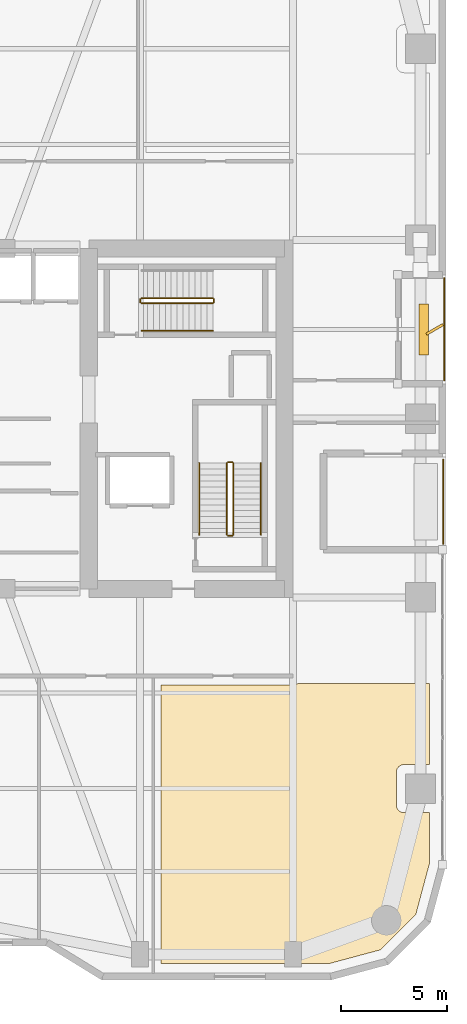
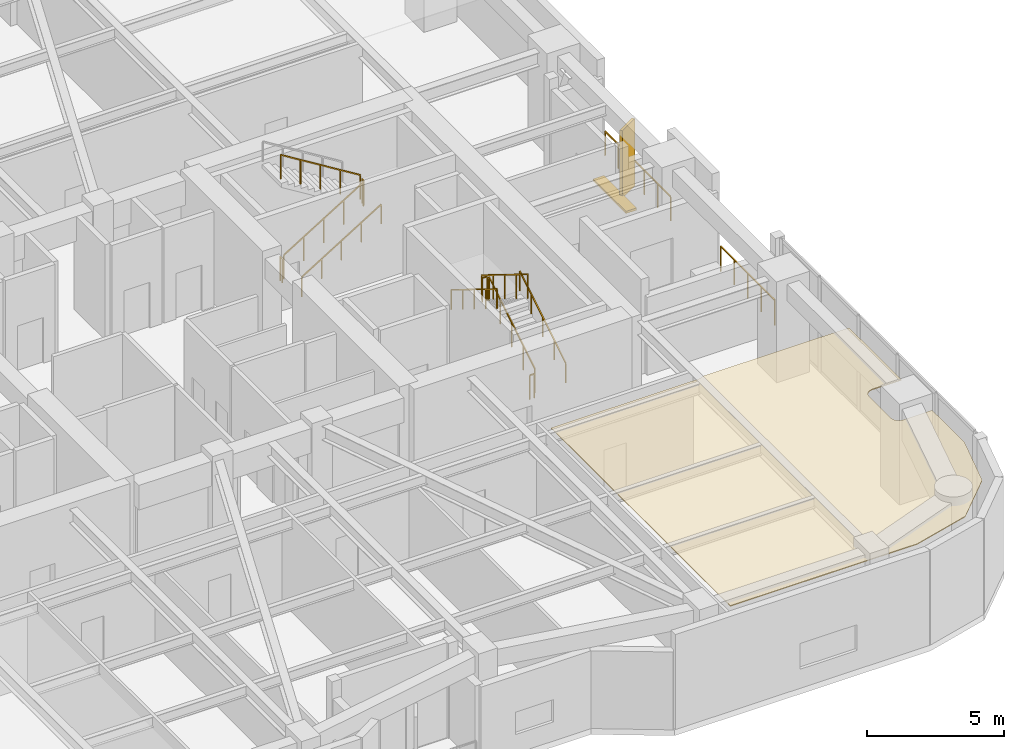
# One storey, part 19 of 20: 13 railings, 2 shading devices, 1 covering.
"""IFC4 building model written with IfcOpenShell, lengths in metres."""

import ifcopenshell
import ifcopenshell.guid

model = None  # the IFC model being written
_history = None  # IfcOwnerHistory: only IFC2X3 demands one
_inside = {}  # id of a spatial element -> (the spatial element, [elements in it])
_under = {}  # id of a project, library or spatial element -> (it, [spatial elements below it])
_declared = {}  # id of a project -> (the project, [libraries it declares])
_typed = {}  # id of a type object -> (the type object, [elements of that type])
_made_of = {}  # id of a material, layer set ... -> (it, [elements and type objects made of it])


def new_model(schema):
    """Start an empty IFC model of exactly this schema.

    Asked for "IFC4X3", IfcOpenShell would pick the latest addendum, in which some entities
    have other attributes; the version numbers below select the first issue.
    IFC2X3 requires an IfcOwnerHistory on every rooted entity: one is made here for all.
    """
    global model, _history
    if schema == "IFC4X3":
        model = ifcopenshell.file(schema_version=(4, 3, 0, 0))
    else:
        model = ifcopenshell.file(schema=schema)
    _inside.clear()
    _under.clear()
    _declared.clear()
    _typed.clear()
    _made_of.clear()
    _history = None
    if model.schema == "IFC2X3":
        org = make("IfcOrganization", Name="unknown")
        user = make(
            "IfcPersonAndOrganization",
            ThePerson=make("IfcPerson", FamilyName="unknown"),
            TheOrganization=org,
        )
        app = make(
            "IfcApplication",
            ApplicationDeveloper=org,
            Version="unknown",
            ApplicationFullName="unknown",
            ApplicationIdentifier="unknown",
        )
        _history = make(
            "IfcOwnerHistory",
            OwningUser=user,
            OwningApplication=app,
            ChangeAction="ADDED",
            CreationDate=0,
        )
    return model


def make(cls, **values):
    """One entity of the class cls with the attributes given. An attribute that is None is left unset."""
    return model.create_entity(
        cls, **{name: value for name, value in values.items() if value is not None}
    )


def rooted(cls, **values):
    """An entity with a GlobalId (a new one), such as an element, a storey or a relation."""
    return make(cls, GlobalId=ifcopenshell.guid.new(), OwnerHistory=_history, **values)


def si_unit(unit_type, name, prefix=None):
    """IfcSIUnit, for example si_unit("LENGTHUNIT", "METRE", prefix="MILLI")."""
    return make("IfcSIUnit", UnitType=unit_type, Prefix=prefix, Name=name)


def assignment(units):
    """IfcUnitAssignment: the units of a project."""
    return None if units is None else make("IfcUnitAssignment", Units=units)


def point(xyz):
    """IfcCartesianPoint."""
    return None if xyz is None else make("IfcCartesianPoint", Coordinates=xyz)


def direction(xyz):
    """IfcDirection."""
    return None if xyz is None else make("IfcDirection", DirectionRatios=xyz)


def frame(location, z_axis=None, x_axis=None):
    """IfcAxis2Placement3D, a coordinate frame: its origin and axes. An axis left out is left unset."""
    return make(
        "IfcAxis2Placement3D",
        Location=point(location),
        Axis=direction(z_axis),
        RefDirection=direction(x_axis),
    )


def frame_2d(location, x_axis=None):
    """IfcAxis2Placement2D, a coordinate frame in the plane: its origin and x axis."""
    return make(
        "IfcAxis2Placement2D", Location=point(location), RefDirection=direction(x_axis)
    )


def origin():
    """The frame at (0, 0, 0) with its axes left unset."""
    return frame((0.0, 0.0, 0.0))


def origin_2d():
    """The frame at (0, 0) in the plane with its x axis left unset."""
    return frame_2d((0.0, 0.0))


def place(relative_to, where):
    """IfcLocalPlacement: puts the frame where relative to a parent placement (None: the world)."""
    return make(
        "IfcLocalPlacement", PlacementRelTo=relative_to, RelativePlacement=where
    )


def context(
    kind, dimensions, precision=None, world=None, true_north=None, identifier=None
):
    """IfcGeometricRepresentationContext, for example the 3D "Model" context."""
    return make(
        "IfcGeometricRepresentationContext",
        ContextIdentifier=identifier,
        ContextType=kind,
        CoordinateSpaceDimension=dimensions,
        Precision=precision,
        WorldCoordinateSystem=world,
        TrueNorth=true_north,
    )


def subcontext(parent, identifier, kind, view, scale=None):
    """IfcGeometricRepresentationSubContext, for example "Body" below "Model"."""
    return make(
        "IfcGeometricRepresentationSubContext",
        ContextIdentifier=identifier,
        ContextType=kind,
        ParentContext=parent,
        TargetScale=scale,
        TargetView=view,
    )


def project(units=None, contexts=None):
    """IfcProject with its units and contexts."""
    return rooted(
        "IfcProject",
        Name="project",
        RepresentationContexts=contexts,
        UnitsInContext=assignment(units),
    )


def spatial(cls, under=None, at=None, **own):
    """A site, building, storey or space (cls), placed at a placement, below another one or the project."""
    s = rooted(cls, ObjectPlacement=at, **own)
    if under is not None:
        _under.setdefault(under.id(), (under, []))[1].append(s)
    return s


def polyline(points):
    """IfcPolyline through the points."""
    return make("IfcPolyline", Points=[point(p) for p in points])


def profile(cls, at=None, kind="AREA", **sizes):
    """A parametric profile (cls). Its sizes go by their IFC names, for example OverallWidth=200.0."""
    return make(cls, ProfileType=kind, Position=at, **sizes)


def rectangle(**sizes):
    """IfcRectangleProfileDef."""
    return profile("IfcRectangleProfileDef", **sizes)


def outline(outer, holes=None, kind="AREA"):
    """IfcArbitraryClosedProfileDef: a profile drawn as a closed curve; with holes, ...WithVoids."""
    if holes is None:
        return make("IfcArbitraryClosedProfileDef", ProfileType=kind, OuterCurve=outer)
    return make(
        "IfcArbitraryProfileDefWithVoids",
        ProfileType=kind,
        OuterCurve=outer,
        InnerCurves=holes,
    )


def extrude(swept, where, along, depth):
    """IfcExtrudedAreaSolid: the profile swept, set in the frame where, extruded along a direction by depth."""
    return make(
        "IfcExtrudedAreaSolid",
        SweptArea=swept,
        Position=where,
        ExtrudedDirection=direction(along),
        Depth=depth,
    )


def shape(context_of_items, identifier, shape_type, items):
    """IfcShapeRepresentation: the items that make up one representation, for example the "Body"."""
    return make(
        "IfcShapeRepresentation",
        ContextOfItems=context_of_items,
        RepresentationIdentifier=identifier,
        RepresentationType=shape_type,
        Items=items,
    )


def material(Name=None, Category=None):
    """IfcMaterial."""
    return make("IfcMaterial", Name=Name, Category=Category)


def layer(
    of_material, thickness, ventilated=None, Name=None, Category=None, Priority=None
):
    """IfcMaterialLayer: one layer of a wall or slab, of a material (None: an air gap)."""
    return make(
        "IfcMaterialLayer",
        Material=of_material,
        LayerThickness=thickness,
        IsVentilated=ventilated,
        Name=Name,
        Category=Category,
        Priority=Priority,
    )


def layer_set(layers, Name=None):
    """IfcMaterialLayerSet."""
    return make("IfcMaterialLayerSet", MaterialLayers=layers, LayerSetName=Name)


def made_of(thing, what):
    """Note that an element or type object is made of a material, layer set ...; save() writes the relation."""
    if what is not None:
        _made_of.setdefault(what.id(), (what, []))[1].append(thing)
    return thing


def type_object(cls, material=None, **own):
    """A type object (cls), such as IfcWallType, which elements share."""
    return made_of(rooted(cls, **own), material)


def element(
    cls,
    number,
    at=None,
    inside=None,
    cuts=None,
    type_object=None,
    material=None,
    context=None,
    identifier="Body",
    shape_type=None,
    held_by="IfcProductDefinitionShape",
    body=None,
    shapes=None,
    **own,
):
    """One element of the class cls, such as IfcWall. Its Tag is "e" and its number.

    at: its placement. inside: the storey or other place that contains it. cuts: it is an
    opening in that element (IfcRelVoidsElement). A single representation is given by context,
    identifier, shape_type and body (its items); several are given by shapes. held_by: the class
    of the entity that holds the representations. save() writes the other relations.
    """
    e = rooted(cls, Tag="e%d" % number, ObjectPlacement=at, **own)
    if body is not None:
        shapes = [shape(context, identifier, shape_type, body)]
    if shapes is not None:
        e.Representation = make(held_by, Representations=shapes)
    if inside is not None:
        _inside.setdefault(inside.id(), (inside, []))[1].append(e)
    if cuts is not None:
        rooted(
            "IfcRelVoidsElement", RelatingBuildingElement=cuts, RelatedOpeningElement=e
        )
    if type_object is not None:
        _typed.setdefault(type_object.id(), (type_object, []))[1].append(e)
    return made_of(e, material)


def aggregate(whole, parts):
    """IfcRelAggregates: a whole, such as a stair, and the parts it consists of."""
    return rooted("IfcRelAggregates", RelatingObject=whole, RelatedObjects=parts)


def save(model, path):
    """Write the relations noted so far, then the file.

    IfcRelAggregates (storeys below a building ...), IfcRelContainedInSpatialStructure (elements
    in a storey), IfcRelDefinesByType, IfcRelAssociatesMaterial and IfcRelDeclares: one each for
    every whole, place, type object, material and project.
    """
    for whole, parts in _under.values():
        aggregate(whole, parts)
    for where, things in _inside.values():
        rooted(
            "IfcRelContainedInSpatialStructure",
            RelatedElements=things,
            RelatingStructure=where,
        )
    for kind, things in _typed.values():
        rooted("IfcRelDefinesByType", RelatedObjects=things, RelatingType=kind)
    for what, things in _made_of.values():
        rooted("IfcRelAssociatesMaterial", RelatedObjects=things, RelatingMaterial=what)
    for by, libraries in _declared.values():
        rooted("IfcRelDeclares", RelatingContext=by, RelatedDefinitions=libraries)
    model.write(path)


model = new_model("IFC4")

# Units and contexts
model_context = context("Model", 3, precision=1e-05, world=origin(), true_north=direction((0.0, 1.0)))
body_context = subcontext(model_context, "Body", "Model", "MODEL_VIEW")
ifc_project = project(units=[si_unit("LENGTHUNIT", "METRE"), si_unit("AREAUNIT", "SQUARE_METRE"), si_unit("VOLUMEUNIT", "CUBIC_METRE"), si_unit("PLANEANGLEUNIT", "RADIAN"), si_unit("MASSUNIT", "GRAM", prefix="KILO")], contexts=[model_context])

# Site, building, storey
site_placement = place(None, origin())
site = spatial("IfcSite", under=ifc_project, at=site_placement, CompositionType="ELEMENT")
building_placement = place(site_placement, origin())
building = spatial("IfcBuilding", under=site, at=building_placement, Name="Kiyonajd Concourse Tower", CompositionType="ELEMENT")
storey_placement = place(building_placement, frame((0.0, 0.0, 125.39990234375)))
storey = spatial("IfcBuildingStorey", under=building, at=storey_placement, Name="L32", CompositionType="ELEMENT", Elevation=125.39990234375)

# Covering
ifc_material_1 = material(Name="Natural Oak Acoustic Timber Veneer", Category="wood")
ifc_layer = layer(ifc_material_1, 0.0400390625)
ifc_layer_set = layer_set([ifc_layer], Name="Natural Oak Acoustic Timber Veneer")
covering_type = type_object("IfcCoveringType", Name="CV-CLG-ACST", PredefinedType="CEILING", material=ifc_layer_set)
covering_placement = place(storey_placement, frame((0.0, 0.0, 4.06005859375)))
element("IfcCovering", 1, at=covering_placement, inside=storey, type_object=covering_type, Name="L32-46 Room Acoustic Ceiling", PredefinedType="CEILING", context=body_context, shape_type="SweptSolid", body=[
    extrude(outline(polyline([(63.847900390625, 23.550048828125), (70.030029296875, 23.550048828125), (70.030029296875, 19.72998046875), (68.820068359375, 19.72998046875), (68.751953125, 19.722900390625), (68.655029296875, 19.68896484375), (68.572998046875, 19.626953125), (68.510986328125, 19.544921875), (68.485107421875, 19.48193359375), (68.471923828125, 19.4140625), (68.469970703125, 17.820068359375), (68.485107421875, 17.718017578125), (68.510986328125, 17.655029296875), (68.549072265625, 17.597900390625), (68.597900390625, 17.549072265625), (68.655029296875, 17.510986328125), (68.718017578125, 17.485107421875), (68.785888671875, 17.471923828125), (70.030029296875, 17.469970703125), (70.030029296875, 15.10107421875), (69.385986328125, 12.697998046875), (67.701904296875, 11.013916015625), (65.299072265625, 10.3701171875), (57.39990234375, 10.3701171875), (57.39990234375, 23.469970703125), (63.60009765625, 23.469970703125), (63.72998046875, 23.489990234375), (63.79296875, 23.51611328125), (63.847900390625, 23.550048828125)])), origin(), (0.0, 0.0, 1.0), 0.0400390625),
])

# Railings
ifc_material_2 = material(Name="Thermally Broken Anodised Aluminium", Category="aluminium")
railing_type_1 = type_object("IfcRailingType", Name="RL-GRD-LOG", PredefinedType="GUARDRAIL", material=ifc_material_2)
railing_1_placement = place(storey_placement, frame((70.719970703125, 37.800048828125, 0.0)))
element("IfcRailing", 2, at=railing_1_placement, inside=storey, type_object=railing_type_1, Name="L32 Engawa Loggia Perimeter Guard LOG-E", PredefinedType="GUARDRAIL", context=body_context, shape_type="SweptSolid", body=[
    extrude(rectangle(XDim=0.048095703125, YDim=0.048095703125, at=origin_2d()), frame((0.0, 0.0, 1.076171875), z_axis=(0.0, 1.0, 0.0), x_axis=(-1.0, 0.0, 0.0)), (0.0, 0.0, 1.0), 4.800048828125),
    extrude(rectangle(XDim=0.0419921875, YDim=0.0419921875, at=origin_2d()), origin(), (0.0, 0.0, 1.0), 1.052001953125),
    extrude(rectangle(XDim=0.0419921875, YDim=0.0419921875, at=origin_2d()), frame((0.0, 0.9599609375, 0.0)), (0.0, 0.0, 1.0), 1.052001953125),
    extrude(rectangle(XDim=0.0419921875, YDim=0.0419921875, at=origin_2d()), frame((0.0, 1.919921875, 0.0)), (0.0, 0.0, 1.0), 1.052001953125),
    extrude(rectangle(XDim=0.0419921875, YDim=0.0419921875, at=origin_2d()), frame((0.0, 2.880126953125, 0.0)), (0.0, 0.0, 1.0), 1.052001953125),
    extrude(rectangle(XDim=0.0419921875, YDim=0.0419921875, at=origin_2d()), frame((0.0, 3.840087890625, 0.0)), (0.0, 0.0, 1.0), 1.052001953125),
    extrude(rectangle(XDim=0.0419921875, YDim=0.0419921875, at=origin_2d()), frame((0.0, 4.800048828125, 0.0)), (0.0, 0.0, 1.0), 1.052001953125),
])
railing_type_2 = type_object("IfcRailingType", Name="RL-GRD-SKY", PredefinedType="GUARDRAIL", material=ifc_material_2)
railing_2_placement = place(storey_placement, frame((70.679931640625, 30.1201171875, 0.0)))
element("IfcRailing", 3, at=railing_2_placement, inside=storey, type_object=railing_type_2, Name="L32 East Terrace Sky Garden Wind Baffle Guard", PredefinedType="GUARDRAIL", context=body_context, shape_type="SweptSolid", body=[
    extrude(rectangle(XDim=0.048095703125, YDim=0.048095703125, at=origin_2d()), frame((0.0, 0.0, 1.1259765625), z_axis=(0.0, 1.0, 0.0), x_axis=(-1.0, 0.0, 0.0)), (0.0, 0.0, 1.0), 3.9599609375),
    extrude(rectangle(XDim=0.0419921875, YDim=0.0419921875, at=origin_2d()), origin(), (0.0, 0.0, 1.0), 1.101806640625),
    extrude(rectangle(XDim=0.0419921875, YDim=0.0419921875, at=origin_2d()), frame((0.0, 0.989990234375, 0.0)), (0.0, 0.0, 1.0), 1.101806640625),
    extrude(rectangle(XDim=0.0419921875, YDim=0.0419921875, at=origin_2d()), frame((0.0, 1.97998046875, 0.0)), (0.0, 0.0, 1.0), 1.101806640625),
    extrude(rectangle(XDim=0.0419921875, YDim=0.0419921875, at=origin_2d()), frame((0.0, 2.969970703125, 0.0)), (0.0, 0.0, 1.0), 1.101806640625),
    extrude(rectangle(XDim=0.0419921875, YDim=0.0419921875, at=origin_2d()), frame((0.0, 3.9599609375, 0.0)), (0.0, 0.0, 1.0), 1.101806640625),
])
ifc_material_3 = material(Name="Steel ASTM A500 Grade C", Category="steel")
railing_type_3 = type_object("IfcRailingType", Name="RL-GRD-STR", PredefinedType="GUARDRAIL", material=ifc_material_3)
railing_3_placement = place(storey_placement, frame((60.800048828125, 30.550048828125, 0.173095703125)))
element("IfcRailing", 4, at=railing_3_placement, inside=storey, type_object=railing_type_3, Name="L32 ST2 stair guard 1", PredefinedType="GUARDRAIL", context=body_context, shape_type="SweptSolid", body=[
    extrude(rectangle(XDim=0.048095703125, YDim=0.048095703125, at=origin_2d()), frame((0.0, 0.0, 1.076171875), z_axis=(0.0, 0.850606129759, 0.525803396734), x_axis=(-1.0, 0.0, 0.0)), (0.0, 0.0, 1.0), 3.949951171875),
    extrude(rectangle(XDim=0.0419921875, YDim=0.0419921875, at=origin_2d()), origin(), (0.0, 0.0, 1.0), 1.052001953125),
    extrude(rectangle(XDim=0.0419921875, YDim=0.0419921875, at=origin_2d()), frame((0.0, 0.83984375, 0.519287109375)), (0.0, 0.0, 1.0), 1.052001953125),
    extrude(rectangle(XDim=0.0419921875, YDim=0.0419921875, at=origin_2d()), frame((0.0, 1.679931640625, 1.03857421875)), (0.0, 0.0, 1.0), 1.052001953125),
    extrude(rectangle(XDim=0.0419921875, YDim=0.0419921875, at=origin_2d()), frame((0.0, 2.52001953125, 1.5576171875)), (0.0, 0.0, 1.0), 1.052001953125),
    extrude(rectangle(XDim=0.0419921875, YDim=0.0419921875, at=origin_2d()), frame((0.0, 3.35986328125, 2.076904296875)), (0.0, 0.0, 1.0), 1.052001953125),
])
railing_4_placement = place(storey_placement, frame((60.75, 33.9599609375, 2.25)))
element("IfcRailing", 5, at=railing_4_placement, inside=storey, type_object=railing_type_3, Name="L32 ST2 stair guard 2", PredefinedType="GUARDRAIL", context=body_context, shape_type="SweptSolid", body=[
    extrude(rectangle(XDim=0.048095703125, YDim=0.048095703125, at=origin_2d()), frame((0.0, 0.0, 1.076171875), z_axis=(-1.0, 0.0, 0.0), x_axis=(0.0, -1.0, 0.0)), (0.0, 0.0, 1.0), 0.199951171875),
    extrude(rectangle(XDim=0.0419921875, YDim=0.0419921875, at=origin_2d()), origin(), (0.0, 0.0, 1.0), 1.052001953125),
    extrude(rectangle(XDim=0.0419921875, YDim=0.0419921875, at=origin_2d()), frame((-0.199951171875, 0.0, 0.0)), (0.0, 0.0, 1.0), 1.052001953125),
])
railing_5_placement = place(storey_placement, frame((60.5, 33.909912109375, 2.423095703125)))
element("IfcRailing", 6, at=railing_5_placement, inside=storey, type_object=railing_type_3, Name="L32 ST2 stair guard 3", PredefinedType="GUARDRAIL", context=body_context, shape_type="SweptSolid", body=[
    extrude(rectangle(XDim=0.048095703125, YDim=0.048095703125, at=origin_2d()), frame((0.0, 0.0, 1.076171875), z_axis=(0.0, -0.850606129759, 0.525803396734), x_axis=(1.0, 0.0, 0.0)), (0.0, 0.0, 1.0), 3.949951171875),
    extrude(rectangle(XDim=0.0419921875, YDim=0.0419921875, at=origin_2d()), origin(), (0.0, 0.0, 1.0), 1.052001953125),
    extrude(rectangle(XDim=0.0419921875, YDim=0.0419921875, at=origin_2d()), frame((0.0, -0.83984375, 0.519287109375)), (0.0, 0.0, 1.0), 1.052001953125),
    extrude(rectangle(XDim=0.0419921875, YDim=0.0419921875, at=origin_2d()), frame((0.0, -1.679931640625, 1.03857421875)), (0.0, 0.0, 1.0), 1.052001953125),
    extrude(rectangle(XDim=0.0419921875, YDim=0.0419921875, at=origin_2d()), frame((0.0, -2.52001953125, 1.5576171875)), (0.0, 0.0, 1.0), 1.052001953125),
    extrude(rectangle(XDim=0.0419921875, YDim=0.0419921875, at=origin_2d()), frame((0.0, -3.35986328125, 2.076904296875)), (0.0, 0.0, 1.0), 1.052001953125),
])
railing_6_placement = place(storey_placement, frame((60.75, 30.5, 0.0)))
element("IfcRailing", 7, at=railing_6_placement, inside=storey, type_object=railing_type_3, Name="L32 ST2 stair guard 4", PredefinedType="GUARDRAIL", context=body_context, shape_type="SweptSolid", body=[
    extrude(rectangle(XDim=0.048095703125, YDim=0.048095703125, at=origin_2d()), frame((0.0, 0.0, 1.076171875), z_axis=(-1.0, 0.0, 0.0), x_axis=(0.0, -1.0, 0.0)), (0.0, 0.0, 1.0), 0.199951171875),
    extrude(rectangle(XDim=0.0419921875, YDim=0.0419921875, at=origin_2d()), origin(), (0.0, 0.0, 1.0), 1.052001953125),
    extrude(rectangle(XDim=0.0419921875, YDim=0.0419921875, at=origin_2d()), frame((-0.199951171875, 0.0, 0.0)), (0.0, 0.0, 1.0), 1.052001953125),
])
railing_7_placement = place(storey_placement, frame((56.47998046875, 41.429931640625, 0.173095703125)))
element("IfcRailing", 8, at=railing_7_placement, inside=storey, type_object=railing_type_3, Name="L32 ST3 stair guard 1", PredefinedType="GUARDRAIL", context=body_context, shape_type="SweptSolid", body=[
    extrude(rectangle(XDim=0.048095703125, YDim=0.048095703125, at=origin_2d()), frame((0.0, 0.0, 1.076171875), z_axis=(0.850623216509, 0.0, 0.525775754039), x_axis=(0.0, 1.0, 0.0)), (0.0, 0.0, 1.0), 3.9501953125),
    extrude(rectangle(XDim=0.0419921875, YDim=0.0419921875, at=origin_2d()), origin(), (0.0, 0.0, 1.0), 1.052001953125),
    extrude(rectangle(XDim=0.0419921875, YDim=0.0419921875, at=origin_2d()), frame((0.840087890625, 0.0, 0.519287109375)), (0.0, 0.0, 1.0), 1.052001953125),
    extrude(rectangle(XDim=0.0419921875, YDim=0.0419921875, at=origin_2d()), frame((1.68017578125, 0.0, 1.03857421875)), (0.0, 0.0, 1.0), 1.052001953125),
    extrude(rectangle(XDim=0.0419921875, YDim=0.0419921875, at=origin_2d()), frame((2.52001953125, 0.0, 1.5576171875)), (0.0, 0.0, 1.0), 1.052001953125),
    extrude(rectangle(XDim=0.0419921875, YDim=0.0419921875, at=origin_2d()), frame((3.360107421875, 0.0, 2.076904296875)), (0.0, 0.0, 1.0), 1.052001953125),
])
railing_8_placement = place(storey_placement, frame((59.889892578125, 41.47998046875, 2.25)))
element("IfcRailing", 9, at=railing_8_placement, inside=storey, type_object=railing_type_3, Name="L32 ST3 stair guard 2", PredefinedType="GUARDRAIL", context=body_context, shape_type="SweptSolid", body=[
    extrude(rectangle(XDim=0.048095703125, YDim=0.048095703125, at=origin_2d()), frame((0.0, 0.0, 1.076171875), z_axis=(0.0, 1.0, 0.0), x_axis=(-1.0, 0.0, 0.0)), (0.0, 0.0, 1.0), 0.14013671875),
    extrude(rectangle(XDim=0.0419921875, YDim=0.0419921875, at=origin_2d()), origin(), (0.0, 0.0, 1.0), 1.052001953125),
    extrude(rectangle(XDim=0.0419921875, YDim=0.0419921875, at=origin_2d()), frame((0.0, 0.14013671875, 0.0)), (0.0, 0.0, 1.0), 1.052001953125),
])
railing_9_placement = place(storey_placement, frame((59.840087890625, 41.669921875, 2.423095703125)))
element("IfcRailing", 10, at=railing_9_placement, inside=storey, type_object=railing_type_3, Name="L32 ST3 stair guard 3", PredefinedType="GUARDRAIL", context=body_context, shape_type="SweptSolid", body=[
    extrude(rectangle(XDim=0.048095703125, YDim=0.048095703125, at=origin_2d()), frame((0.0, 0.0, 1.076171875), z_axis=(-0.850623216509, 0.0, 0.525775754039), x_axis=(0.0, -1.0, 0.0)), (0.0, 0.0, 1.0), 3.9501953125),
    extrude(rectangle(XDim=0.0419921875, YDim=0.0419921875, at=origin_2d()), origin(), (0.0, 0.0, 1.0), 1.052001953125),
    extrude(rectangle(XDim=0.0419921875, YDim=0.0419921875, at=origin_2d()), frame((-0.840087890625, 0.0, 0.519287109375)), (0.0, 0.0, 1.0), 1.052001953125),
    extrude(rectangle(XDim=0.0419921875, YDim=0.0419921875, at=origin_2d()), frame((-1.68017578125, 0.0, 1.03857421875)), (0.0, 0.0, 1.0), 1.052001953125),
    extrude(rectangle(XDim=0.0419921875, YDim=0.0419921875, at=origin_2d()), frame((-2.52001953125, 0.0, 1.5576171875)), (0.0, 0.0, 1.0), 1.052001953125),
    extrude(rectangle(XDim=0.0419921875, YDim=0.0419921875, at=origin_2d()), frame((-3.360107421875, 0.0, 2.076904296875)), (0.0, 0.0, 1.0), 1.052001953125),
])
railing_10_placement = place(storey_placement, frame((56.429931640625, 41.47998046875, 0.0)))
element("IfcRailing", 11, at=railing_10_placement, inside=storey, type_object=railing_type_3, Name="L32 ST3 stair guard 4", PredefinedType="GUARDRAIL", context=body_context, shape_type="SweptSolid", body=[
    extrude(rectangle(XDim=0.048095703125, YDim=0.048095703125, at=origin_2d()), frame((0.0, 0.0, 1.076171875), z_axis=(0.0, 1.0, 0.0), x_axis=(-1.0, 0.0, 0.0)), (0.0, 0.0, 1.0), 0.14013671875),
    extrude(rectangle(XDim=0.0419921875, YDim=0.0419921875, at=origin_2d()), origin(), (0.0, 0.0, 1.0), 1.052001953125),
    extrude(rectangle(XDim=0.0419921875, YDim=0.0419921875, at=origin_2d()), frame((0.0, 0.14013671875, 0.0)), (0.0, 0.0, 1.0), 1.052001953125),
])
ifc_material_4 = material(Name="Brushed Stainless Steel Cab Assembly", Category="steel")
railing_type_4 = type_object("IfcRailingType", Name="RL-HND-900", PredefinedType="HANDRAIL", material=ifc_material_4)
railing_11_placement = place(storey_placement, frame((62.10009765625, 30.550048828125, 0.173095703125)))
element("IfcRailing", 12, at=railing_11_placement, inside=storey, type_object=railing_type_4, Name="L32 ST2 stair handrail 1", PredefinedType="HANDRAIL", context=body_context, shape_type="SweptSolid", body=[
    extrude(rectangle(XDim=0.048095703125, YDim=0.048095703125, at=origin_2d()), frame((0.0, 0.0, 0.8759765625), z_axis=(0.0, 0.850606129759, 0.525803396734), x_axis=(-1.0, 0.0, 0.0)), (0.0, 0.0, 1.0), 3.949951171875),
    extrude(rectangle(XDim=0.0419921875, YDim=0.0419921875, at=origin_2d()), origin(), (0.0, 0.0, 1.0), 0.851806640625),
    extrude(rectangle(XDim=0.0419921875, YDim=0.0419921875, at=origin_2d()), frame((0.0, 0.83984375, 0.519287109375)), (0.0, 0.0, 1.0), 0.851806640625),
    extrude(rectangle(XDim=0.0419921875, YDim=0.0419921875, at=origin_2d()), frame((0.0, 1.679931640625, 1.03857421875)), (0.0, 0.0, 1.0), 0.851806640625),
    extrude(rectangle(XDim=0.0419921875, YDim=0.0419921875, at=origin_2d()), frame((0.0, 2.52001953125, 1.5576171875)), (0.0, 0.0, 1.0), 0.851806640625),
    extrude(rectangle(XDim=0.0419921875, YDim=0.0419921875, at=origin_2d()), frame((0.0, 3.35986328125, 2.076904296875)), (0.0, 0.0, 1.0), 0.851806640625),
])
railing_12_placement = place(storey_placement, frame((59.199951171875, 33.909912109375, 2.423095703125)))
element("IfcRailing", 13, at=railing_12_placement, inside=storey, type_object=railing_type_4, Name="L32 ST2 stair handrail 2", PredefinedType="HANDRAIL", context=body_context, shape_type="SweptSolid", body=[
    extrude(rectangle(XDim=0.048095703125, YDim=0.048095703125, at=origin_2d()), frame((0.0, 0.0, 0.8759765625), z_axis=(0.0, -0.850606129759, 0.525803396734), x_axis=(1.0, 0.0, 0.0)), (0.0, 0.0, 1.0), 3.949951171875),
    extrude(rectangle(XDim=0.0419921875, YDim=0.0419921875, at=origin_2d()), origin(), (0.0, 0.0, 1.0), 0.851806640625),
    extrude(rectangle(XDim=0.0419921875, YDim=0.0419921875, at=origin_2d()), frame((0.0, -0.83984375, 0.519287109375)), (0.0, 0.0, 1.0), 0.851806640625),
    extrude(rectangle(XDim=0.0419921875, YDim=0.0419921875, at=origin_2d()), frame((0.0, -1.679931640625, 1.03857421875)), (0.0, 0.0, 1.0), 0.851806640625),
    extrude(rectangle(XDim=0.0419921875, YDim=0.0419921875, at=origin_2d()), frame((0.0, -2.52001953125, 1.5576171875)), (0.0, 0.0, 1.0), 0.851806640625),
    extrude(rectangle(XDim=0.0419921875, YDim=0.0419921875, at=origin_2d()), frame((0.0, -3.35986328125, 2.076904296875)), (0.0, 0.0, 1.0), 0.851806640625),
])
railing_13_placement = place(storey_placement, frame((56.47998046875, 40.1298828125, 0.173095703125)))
element("IfcRailing", 14, at=railing_13_placement, inside=storey, type_object=railing_type_4, Name="L32 ST3 stair handrail 1", PredefinedType="HANDRAIL", context=body_context, shape_type="SweptSolid", body=[
    extrude(rectangle(XDim=0.048095703125, YDim=0.048095703125, at=origin_2d()), frame((0.0, 0.0, 0.8759765625), z_axis=(0.850623216509, 0.0, 0.525775754039), x_axis=(0.0, 1.0, 0.0)), (0.0, 0.0, 1.0), 3.9501953125),
    extrude(rectangle(XDim=0.0419921875, YDim=0.0419921875, at=origin_2d()), origin(), (0.0, 0.0, 1.0), 0.851806640625),
    extrude(rectangle(XDim=0.0419921875, YDim=0.0419921875, at=origin_2d()), frame((0.840087890625, 0.0, 0.519287109375)), (0.0, 0.0, 1.0), 0.851806640625),
    extrude(rectangle(XDim=0.0419921875, YDim=0.0419921875, at=origin_2d()), frame((1.68017578125, 0.0, 1.03857421875)), (0.0, 0.0, 1.0), 0.851806640625),
    extrude(rectangle(XDim=0.0419921875, YDim=0.0419921875, at=origin_2d()), frame((2.52001953125, 0.0, 1.5576171875)), (0.0, 0.0, 1.0), 0.851806640625),
    extrude(rectangle(XDim=0.0419921875, YDim=0.0419921875, at=origin_2d()), frame((3.360107421875, 0.0, 2.076904296875)), (0.0, 0.0, 1.0), 0.851806640625),
])

# Shading devices
ifc_material_5 = material(Name="Precast concrete C50/60", Category="concrete")
shading_device_type_1 = type_object("IfcShadingDeviceType", Name="SH-FIN-900", PredefinedType="USERDEFINED", material=ifc_material_5)
shading_device_1_placement = place(storey_placement, frame((70.27001953125, 40.199951171875, 0.0), z_axis=(0.0, 0.0, 1.0), x_axis=(0.866025403784, 0.5, 0.0)))
element("IfcShadingDevice", 15, at=shading_device_1_placement, inside=storey, type_object=shading_device_type_1, Name="L32 Angled Koshi Solar Fin LOG-E", ObjectType="FIN", PredefinedType="USERDEFINED", context=body_context, shape_type="SweptSolid", body=[
    extrude(rectangle(XDim=0.89990234375, YDim=0.1201171875, at=origin_2d()), origin(), (0.0, 0.0, 1.0), 3.0),
])
shading_device_type_2 = type_object("IfcShadingDeviceType", Name="SH-LVR-600", PredefinedType="JALOUSIE", material=ifc_material_2)
shading_device_2_placement = place(storey_placement, frame((69.75, 40.199951171875, 0.0), z_axis=(0.0, 0.0, 1.0), x_axis=(0.0, 1.0, 0.0)))
element("IfcShadingDevice", 16, at=shading_device_2_placement, inside=storey, type_object=shading_device_type_2, Name="L32 Loggia Threshold Louver LOG-E", PredefinedType="JALOUSIE", context=body_context, shape_type="SweptSolid", body=[
    extrude(rectangle(XDim=2.39990234375, YDim=0.449951171875, at=origin_2d()), origin(), (0.0, 0.0, 1.0), 0.10009765625),
])

save(model, "model.ifc")
